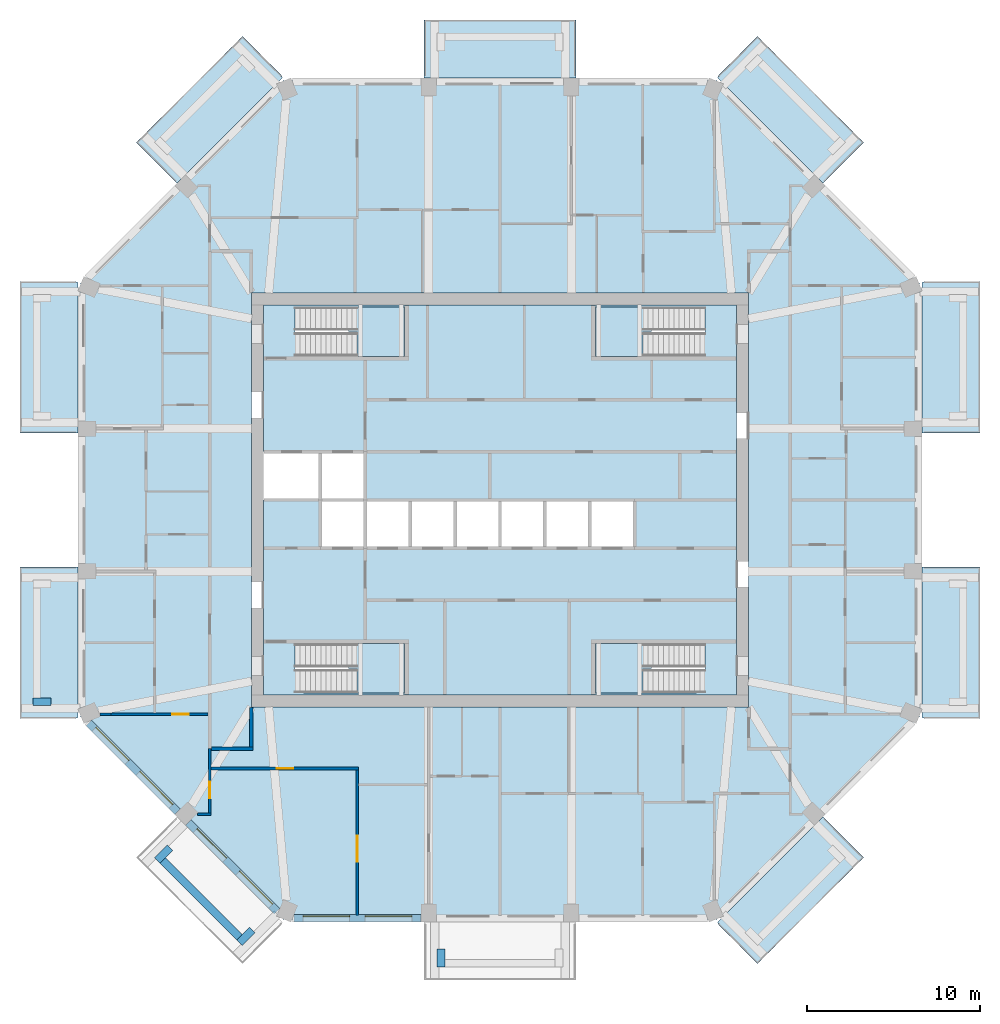
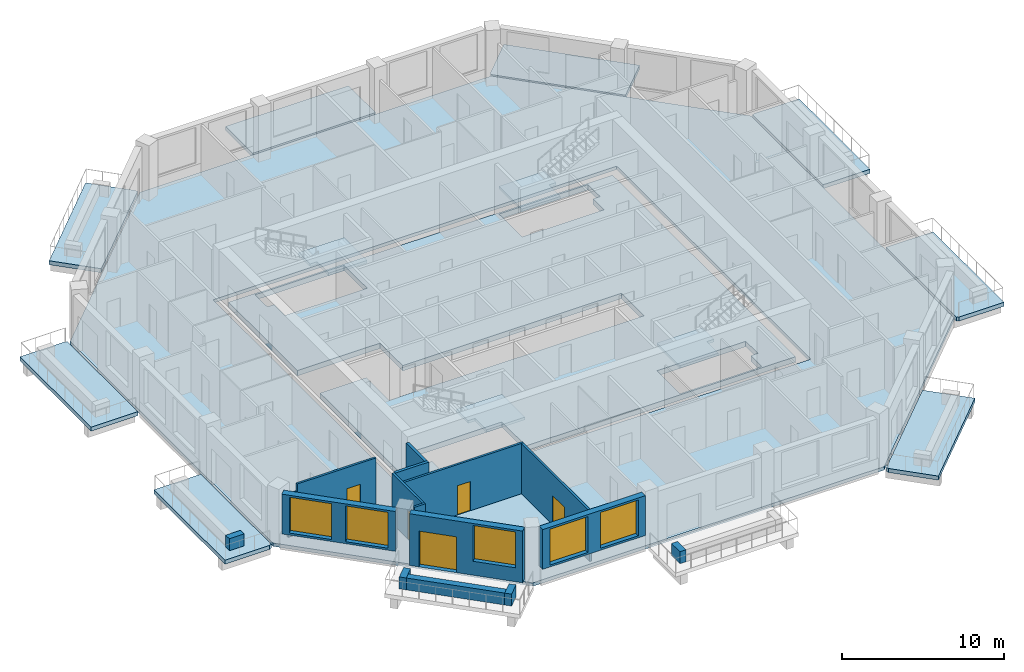
# One storey, part 2 of 12: 16 walls, 14 slabs, 5 doors, 5 windows, 10 openings, 4 elements without a shape of their own.
"""IFC4 building model written with IfcOpenShell, lengths in metres."""

from ifc_helpers import new_model, si_unit, direction, frame, frame_2d, origin, place, context, subcontext, project, spatial, polyline, rectangle, outline, extrude, material, layer, layer_set, type_object, element, fill, aggregate, save


model = new_model("IFC4")

# Units and contexts
model_context = context("Model", 3, precision=1e-05, world=origin(), true_north=direction((0.0, 1.0)))
body_context = subcontext(model_context, "Body", "Model", "MODEL_VIEW")
ifc_project = project(units=[si_unit("LENGTHUNIT", "METRE"), si_unit("AREAUNIT", "SQUARE_METRE"), si_unit("VOLUMEUNIT", "CUBIC_METRE"), si_unit("PLANEANGLEUNIT", "RADIAN"), si_unit("MASSUNIT", "GRAM", prefix="KILO")], contexts=[model_context])

# Site, building, storey
site_placement = place(None, origin())
site = spatial("IfcSite", under=ifc_project, at=site_placement, CompositionType="ELEMENT")
building_placement = place(site_placement, origin())
building = spatial("IfcBuilding", under=site, at=building_placement, Name="Msitu Wima Residences", CompositionType="ELEMENT")
storey_placement = place(building_placement, frame((0.0, 0.0, 204.300048828125)))
storey = spatial("IfcBuildingStorey", under=building, at=storey_placement, Name="L47", CompositionType="ELEMENT", Elevation=204.300048828125)

# Slabs
ifc_material_1 = material(Name="Concrete C40/50", Category="concrete")
ifc_layer_1 = layer(ifc_material_1, 0.300048828125)
ifc_layer_set_1 = layer_set([ifc_layer_1], Name="Concrete C40/50")
slab_type_1 = type_object("IfcSlabType", Name="Balcony slab BS300", PredefinedType="FLOOR", material=ifc_layer_set_1)
slab_1_placement = place(storey_placement, frame((0.0, 0.0, -0.300048828125)))
element("IfcSlab", 1, at=slab_1_placement, inside=storey, type_object=slab_type_1, Name="Balcony E0 L47", PredefinedType="FLOOR", context=body_context, shape_type="SweptSolid", body=[
    extrude(outline(polyline([(24.449951171875, -12.111083984375), (24.449951171875, -12.111083984375), (24.449951171875, -4.587158203125), (24.449951171875, -4.587158203125), (24.449951171875, -3.88720703125), (27.800048828125, -3.88720703125), (27.800048828125, -12.661865234375), (24.603515625, -12.661865234375), (24.449951171875, -12.59814453125), (24.449951171875, -12.111083984375), (24.449951171875, -12.111083984375)])), origin(), (0.0, 0.0, 1.0), 0.300048828125),
])
slab_2_placement = place(storey_placement, frame((0.0, 0.0, -0.300048828125)))
element("IfcSlab", 2, at=slab_2_placement, inside=storey, type_object=slab_type_1, Name="Balcony E2 L47", PredefinedType="FLOOR", context=body_context, shape_type="SweptSolid", body=[
    extrude(outline(polyline([(24.449951171875, 12.111083984375), (24.449951171875, 12.111083984375), (24.449951171875, 12.111083984375), (24.449951171875, 12.59814453125), (24.603515625, 12.661865234375), (27.800048828125, 12.661865234375), (27.800048828125, 3.88720703125), (24.449951171875, 3.88720703125), (24.449951171875, 4.587158203125), (24.449951171875, 12.111083984375)])), origin(), (0.0, 0.0, 1.0), 0.300048828125),
])
slab_3_placement = place(storey_placement, frame((0.0, 0.0, -0.300048828125)))
element("IfcSlab", 3, at=slab_3_placement, inside=storey, type_object=slab_type_1, Name="Balcony NE1 L47", PredefinedType="FLOOR", context=body_context, shape_type="SweptSolid", body=[
    extrude(outline(polyline([(12.942626953125, 24.10546875), (12.942626953125, 24.10546875), (12.59814453125, 24.449951171875), (12.661865234375, 24.603515625), (14.922119140625, 26.86376953125), (21.069580078125, 20.716064453125), (18.700927734375, 18.347412109375), (12.942626953125, 24.10546875), (12.942626953125, 24.10546875)])), origin(), (0.0, 0.0, 1.0), 0.300048828125),
])
slab_4_placement = place(storey_placement, frame((0.0, 0.0, -0.300048828125)))
element("IfcSlab", 4, at=slab_4_placement, inside=storey, type_object=slab_type_1, Name="Balcony N1 L47", PredefinedType="FLOOR", context=body_context, shape_type="SweptSolid", body=[
    extrude(outline(polyline([(3.687255859375, 24.449951171875), (-3.687255859375, 24.449951171875), (-4.38720703125, 24.449951171875), (-4.38720703125, 27.800048828125), (4.38720703125, 27.800048828125), (4.38720703125, 24.449951171875), (3.687255859375, 24.449951171875)])), origin(), (0.0, 0.0, 1.0), 0.300048828125),
])
slab_5_placement = place(storey_placement, frame((0.0, 0.0, -0.300048828125)))
element("IfcSlab", 5, at=slab_5_placement, inside=storey, type_object=slab_type_1, Name="Balcony NW0 L47", PredefinedType="FLOOR", context=body_context, shape_type="SweptSolid", body=[
    extrude(outline(polyline([(-12.942626953125, 24.10546875), (-12.942626953125, 24.10546875), (-18.700927734375, 18.347412109375), (-21.069580078125, 20.716064453125), (-14.922119140625, 26.86376953125), (-12.661865234375, 24.603515625), (-12.59814453125, 24.449951171875), (-12.942626953125, 24.10546875), (-12.942626953125, 24.10546875)])), origin(), (0.0, 0.0, 1.0), 0.300048828125),
])
slab_6_placement = place(storey_placement, frame((0.0, 0.0, -0.300048828125)))
element("IfcSlab", 6, at=slab_6_placement, inside=storey, type_object=slab_type_1, Name="Balcony W0 L47", PredefinedType="FLOOR", context=body_context, shape_type="SweptSolid", body=[
    extrude(outline(polyline([(-24.449951171875, 12.111083984375), (-24.449951171875, 12.111083984375), (-24.449951171875, 4.587158203125), (-24.449951171875, 3.88720703125), (-27.800048828125, 3.88720703125), (-27.800048828125, 12.661865234375), (-24.603515625, 12.661865234375), (-24.449951171875, 12.59814453125), (-24.449951171875, 12.111083984375), (-24.449951171875, 12.111083984375)])), origin(), (0.0, 0.0, 1.0), 0.300048828125),
])
slab_7_placement = place(storey_placement, frame((0.0, 0.0, -0.300048828125)))
element("IfcSlab", 7, at=slab_7_placement, inside=storey, type_object=slab_type_1, Name="Balcony W2 L47", PredefinedType="FLOOR", context=body_context, shape_type="SweptSolid", body=[
    extrude(outline(polyline([(-24.449951171875, -12.111083984375), (-24.449951171875, -12.111083984375), (-24.449951171875, -12.59814453125), (-24.603515625, -12.661865234375), (-27.800048828125, -12.661865234375), (-27.800048828125, -3.88720703125), (-24.449951171875, -3.88720703125), (-24.449951171875, -4.587158203125), (-24.449951171875, -4.587158203125), (-24.449951171875, -12.111083984375), (-24.449951171875, -12.111083984375)])), origin(), (0.0, 0.0, 1.0), 0.300048828125),
])
slab_8_placement = place(storey_placement, frame((0.0, 0.0, -0.300048828125)))
element("IfcSlab", 8, at=slab_8_placement, inside=storey, type_object=slab_type_1, Name="Balcony SE0 L47", PredefinedType="FLOOR", context=body_context, shape_type="SweptSolid", body=[
    extrude(outline(polyline([(12.942626953125, -24.10546875), (12.942626953125, -24.10546875), (18.700927734375, -18.347412109375), (21.069580078125, -20.716064453125), (14.922119140625, -26.86376953125), (12.661865234375, -24.603515625), (12.59814453125, -24.449951171875), (12.942626953125, -24.10546875), (12.942626953125, -24.10546875)])), origin(), (0.0, 0.0, 1.0), 0.300048828125),
])
ifc_layer_2 = layer(ifc_material_1, 0.402099609375)
ifc_layer_set_2 = layer_set([ifc_layer_2], Name="Concrete C40/50")
slab_type_2 = type_object("IfcSlabType", Name="Core floor CF402", PredefinedType="FLOOR", material=ifc_layer_set_2)
slab_9_placement = place(storey_placement, frame((0.0, 0.0, -0.402099609375)))
element("IfcSlab", 9, at=slab_9_placement, inside=storey, type_object=slab_type_2, Name="Core floor", PredefinedType="FLOOR", context=body_context, shape_type="SweptSolid", body=[
    extrude(outline(polyline([(-13.699951171875, 11.300048828125), (-13.699951171875, 2.800048828125), (-10.39990234375, 2.800048828125), (-7.800048828125, 2.800048828125), (-7.800048828125, 0.0), (-5.199951171875, 0.0), (-2.60009765625, 0.0), (0.0, 0.0), (2.60009765625, 0.0), (5.199951171875, 0.0), (7.800048828125, 0.0), (7.800048828125, -2.800048828125), (5.199951171875, -2.800048828125), (2.60009765625, -2.800048828125), (0.0, -2.800048828125), (-2.60009765625, -2.800048828125), (-5.199951171875, -2.800048828125), (-7.800048828125, -2.800048828125), (-10.39990234375, -2.800048828125), (-10.39990234375, 0.0), (-13.699951171875, 0.0), (-13.699951171875, -11.300048828125), (13.699951171875, -11.300048828125), (13.699951171875, 11.300048828125), (-13.699951171875, 11.300048828125)]), holes=[polyline([(-11.375, -11.175048828125), (-11.375, -9.824951171875), (-11.87451171875, -9.824951171875), (-11.87451171875, -8.324951171875), (-5.52490234375, -8.324951171875), (-5.52490234375, -11.175048828125), (-11.375, -11.175048828125)]), polyline([(-11.375, 8.324951171875), (-11.375, 9.675048828125), (-11.87451171875, 9.675048828125), (-11.87451171875, 11.175048828125), (-5.52490234375, 11.175048828125), (-5.52490234375, 8.324951171875), (-11.375, 8.324951171875)]), polyline([(11.375, -9.824951171875), (11.375, -11.175048828125), (5.52490234375, -11.175048828125), (5.52490234375, -8.324951171875), (11.87451171875, -8.324951171875), (11.87451171875, -9.824951171875), (11.375, -9.824951171875)]), polyline([(11.375, 9.675048828125), (11.375, 8.324951171875), (5.52490234375, 8.324951171875), (5.52490234375, 11.175048828125), (11.87451171875, 11.175048828125), (11.87451171875, 9.675048828125), (11.375, 9.675048828125)])]), origin(), (0.0, 0.0, 1.0), 0.402099609375),
])
ifc_layer_3 = layer(ifc_material_1, 0.25)
ifc_layer_set_3 = layer_set([ifc_layer_3], Name="Concrete C40/50")
slab_type_3 = type_object("IfcSlabType", Name="PT flat slab 250 Concrete C40/50", PredefinedType="FLOOR", material=ifc_layer_set_3)
slab_10_placement = place(storey_placement, frame((0.0, 0.0, -0.25)))
element("IfcSlab", 10, at=slab_10_placement, inside=storey, type_object=slab_type_3, Name="Floor slab L47", PredefinedType="FLOOR", context=body_context, shape_type="SweptSolid", body=[
    extrude(outline(polyline([(24.300048828125, -12.5361328125), (12.5361328125, -24.300048828125), (-12.5361328125, -24.300048828125), (-24.300048828125, -12.5361328125), (-24.300048828125, 12.5361328125), (-12.5361328125, 24.300048828125), (12.5361328125, 24.300048828125), (24.300048828125, 12.5361328125), (24.300048828125, -12.5361328125)]), holes=[polyline([(-14.39990234375, -12.0), (14.39990234375, -12.0), (14.39990234375, 12.0), (-14.39990234375, 12.0), (-14.39990234375, -12.0)])]), origin(), (0.0, 0.0, 1.0), 0.25),
])

# Stair, slab
stair_type = type_object("IfcStairType", Name="Exit stair ES1615-135", PredefinedType="HALF_TURN_STAIR", material=ifc_material_1)
stair_1_placement = place(storey_placement, origin())
stair_1 = element("IfcStair", 11, at=stair_1_placement, inside=storey, type_object=stair_type, Name="Exit stair 1", PredefinedType="HALF_TURN_STAIR")
ifc_layer_4 = layer(ifc_material_1, 0.199951171875)
ifc_layer_set_4 = layer_set([ifc_layer_4], Name="Concrete C40/50")
slab_type_4 = type_object("IfcSlabType", Name="Stair landing SL200", PredefinedType="LANDING", material=ifc_layer_set_4)
slab_11_placement = place(storey_placement, frame((0.0, 0.0, 1.89990234375)))
slab_11 = element("IfcSlab", 12, at=slab_11_placement, type_object=slab_type_4, Name="S1 landing 1", PredefinedType="LANDING", context=body_context, shape_type="SweptSolid", body=[
    extrude(outline(polyline([(-5.52490234375, 8.324951171875), (-8.275390625, 8.324951171875), (-8.275390625, 9.75), (-8.77490234375, 9.75), (-8.77490234375, 11.175048828125), (-5.52490234375, 11.175048828125), (-5.52490234375, 8.324951171875)])), origin(), (0.0, 0.0, 1.0), 0.199951171875),
])
aggregate(stair_1, [slab_11])

stair_2_placement = place(storey_placement, origin())
stair_2 = element("IfcStair", 13, at=stair_2_placement, inside=storey, type_object=stair_type, Name="Exit stair 2", PredefinedType="HALF_TURN_STAIR")
slab_12_placement = place(storey_placement, frame((0.0, 0.0, 1.89990234375)))
slab_12 = element("IfcSlab", 14, at=slab_12_placement, type_object=slab_type_4, Name="S2 landing 1", PredefinedType="LANDING", context=body_context, shape_type="SweptSolid", body=[
    extrude(outline(polyline([(-5.52490234375, -11.175048828125), (-8.275390625, -11.175048828125), (-8.275390625, -9.75), (-8.77490234375, -9.75), (-8.77490234375, -8.324951171875), (-5.52490234375, -8.324951171875), (-5.52490234375, -11.175048828125)])), origin(), (0.0, 0.0, 1.0), 0.199951171875),
])
aggregate(stair_2, [slab_12])

stair_3_placement = place(storey_placement, origin())
stair_3 = element("IfcStair", 15, at=stair_3_placement, inside=storey, type_object=stair_type, Name="Exit stair 3", PredefinedType="HALF_TURN_STAIR")
slab_13_placement = place(storey_placement, frame((0.0, 0.0, 1.89990234375)))
slab_13 = element("IfcSlab", 16, at=slab_13_placement, type_object=slab_type_4, Name="S3 landing 1", PredefinedType="LANDING", context=body_context, shape_type="SweptSolid", body=[
    extrude(outline(polyline([(5.52490234375, 8.324951171875), (8.275390625, 8.324951171875), (8.275390625, 9.75), (8.77490234375, 9.75), (8.77490234375, 11.175048828125), (5.52490234375, 11.175048828125), (5.52490234375, 8.324951171875)])), origin(), (0.0, 0.0, 1.0), 0.199951171875),
])
aggregate(stair_3, [slab_13])

stair_4_placement = place(storey_placement, origin())
stair_4 = element("IfcStair", 17, at=stair_4_placement, inside=storey, type_object=stair_type, Name="Exit stair 4", PredefinedType="HALF_TURN_STAIR")
slab_14_placement = place(storey_placement, frame((0.0, 0.0, 1.89990234375)))
slab_14 = element("IfcSlab", 18, at=slab_14_placement, type_object=slab_type_4, Name="S4 landing 1", PredefinedType="LANDING", context=body_context, shape_type="SweptSolid", body=[
    extrude(outline(polyline([(5.52490234375, -11.175048828125), (8.275390625, -11.175048828125), (8.275390625, -9.75), (8.77490234375, -9.75), (8.77490234375, -8.324951171875), (5.52490234375, -8.324951171875), (5.52490234375, -11.175048828125)])), origin(), (0.0, 0.0, 1.0), 0.199951171875),
])
aggregate(stair_4, [slab_14])

# Walls
ifc_material_2 = material(Name="Facing brick")
ifc_layer_5 = layer(ifc_material_2, 0.06494140625, Name="Facing brick")
ifc_layer_6 = layer(ifc_material_1, 0.156005859375, Name="Concrete C40/50")
ifc_material_3 = material(Name="Waterproofing membrane")
ifc_layer_7 = layer(ifc_material_3, 0.00390625, Name="Waterproofing membrane")
ifc_material_4 = material(Name="Planting soil and planting")
ifc_layer_8 = layer(ifc_material_4, 0.22509765625, Name="Planting soil and planting")
ifc_layer_set_5 = layer_set([ifc_layer_5, ifc_layer_6, ifc_layer_7, ifc_layer_8], Name="Concrete C40/50")
wall_type_1 = type_object("IfcWallType", Name="Balcony planter PLANTER PL450", PredefinedType="USERDEFINED", material=ifc_layer_set_5)
wall_1_placement = place(storey_placement, frame((-26.0, -11.686767578125, 0.0), z_axis=(0.0, 0.0, 1.0), x_axis=(-1.0, 0.0, 0.0)))
element("IfcWall", 19, at=wall_1_placement, inside=storey, type_object=wall_type_1, Name="Balcony planter W2 L47", ObjectType="PLANTER", PredefinedType="USERDEFINED", context=body_context, shape_type="SweptSolid", body=[
    extrude(rectangle(XDim=1.050048828125, YDim=0.449951171875, at=frame_2d((0.52490234375, 0.0))), origin(), (0.0, 0.0, 1.0), 0.89990234375),
])
wall_2_placement = place(storey_placement, frame((-19.53173828125, -20.875244140625, 0.0), z_axis=(0.0, 0.0, 1.0), x_axis=(0.707106781187, -0.707106781187, 0.0)))
element("IfcWall", 20, at=wall_2_placement, inside=storey, type_object=wall_type_1, Name="Balcony planter SW1 L47", ObjectType="PLANTER", PredefinedType="USERDEFINED", context=body_context, shape_type="SweptSolid", body=[
    extrude(rectangle(XDim=6.294189453125, YDim=0.449951171875, at=frame_2d((3.14697265625, 0.0))), origin(), (0.0, 0.0, 1.0), 0.89990234375),
])
for number, where, z_axis, x_axis, name in (
    (21, (-19.107421875, -20.1328125, 0.0), (0.0, 0.0, 1.0), (-0.707106781187, -0.707106781187, 0.0), "Balcony planter SW1 L47"),
    (22, (-14.338623046875, -24.901611328125, 0.0), (0.0, 0.0, 1.0), (-0.707106781187, -0.707106781187, 0.0), "Balcony planter SW1 L47"),
    (23, (-3.412353515625, -26.0, 0.0), (0.0, 0.0, 1.0), (0.0, -1.0, 0.0), "Balcony planter S1 L47"),
):
    element("IfcWall", number, at=place(storey_placement, frame(where, z_axis=z_axis, x_axis=x_axis)), inside=storey, type_object=wall_type_1, Name=name, ObjectType="PLANTER", PredefinedType="USERDEFINED", context=body_context, shape_type="SweptSolid", body=[
        extrude(rectangle(XDim=1.050048828125, YDim=0.449951171875, at=frame_2d((0.52490234375, 0.0))), origin(), (0.0, 0.0, 1.0), 0.89990234375),
    ])

# Wall, openings, windows
ifc_material_5 = material(Name="Brick (red buff mix)", Category="masonry")
ifc_layer_9 = layer(ifc_material_5, 0.449951171875)
ifc_layer_set_6 = layer_set([ifc_layer_9], Name="Brick (red buff mix)")
wall_type_2 = type_object("IfcWallType", Name="Brick infill wall BW450", PredefinedType="SOLIDWALL", material=ifc_layer_set_6)
wall_3_placement = place(storey_placement, frame((-23.814697265625, -12.915283203125, 0.89990234375), z_axis=(0.0, 0.0, 1.0), x_axis=(0.707106781187, -0.707106781187, 0.0)))
wall_3 = element("IfcWall", 24, at=wall_3_placement, inside=storey, type_object=wall_type_2, Name="Brick infill wall L47 SW0", PredefinedType="SOLIDWALL", context=body_context, shape_type="SweptSolid", body=[
    extrude(rectangle(XDim=7.257080078125, YDim=0.449951171875, at=frame_2d((3.62841796875, 0.0))), origin(), (0.0, 0.0, 1.0), 3.0),
])
opening_1_placement = place(wall_3_placement, frame((0.478515625, 0.0, 0.14990234375)))
opening_1 = element("IfcOpeningElement", 25, at=opening_1_placement, cuts=wall_3, Name="Opening W47.024", PredefinedType="OPENING", context=body_context, shape_type="SweptSolid", body=[
    extrude(rectangle(XDim=2.699951171875, YDim=2.699951171875, at=frame_2d((1.35009765625, 1.35009765625))), frame((0.0, 0.23486328125, 0.0), z_axis=(0.0, -1.0, 0.0), x_axis=(1.0, 0.0, 0.0)), (0.0, 0.0, 1.0), 0.469970703125),
])
opening_2_placement = place(wall_3_placement, frame((4.07861328125, 0.0, 0.14990234375)))
opening_2 = element("IfcOpeningElement", 26, at=opening_2_placement, cuts=wall_3, Name="Opening W47.025", PredefinedType="OPENING", context=body_context, shape_type="SweptSolid", body=[
    extrude(rectangle(XDim=2.699951171875, YDim=2.699951171875, at=frame_2d((1.35009765625, 1.35009765625))), frame((0.0, 0.23486328125, 0.0), z_axis=(0.0, -1.0, 0.0), x_axis=(1.0, 0.0, 0.0)), (0.0, 0.0, 1.0), 0.469970703125),
])
ifc_material_6 = material(Name="Anodised aluminium, bronze finish, clear low-emissivity double glazing", Category="aluminium")
window_type = type_object("IfcWindowType", Name="Window W2700x2700", PartitioningType="DOUBLE_PANEL_VERTICAL", PredefinedType="WINDOW", material=ifc_material_6)
window_1_placement = place(opening_1_placement, origin())
window_1 = element("IfcWindow", 27, at=window_1_placement, inside=storey, type_object=window_type, Name="Window L47 SW0.1", OverallHeight=2.699951171875, OverallWidth=2.699951171875, PartitioningType="SINGLE_PANEL", PredefinedType="WINDOW", context=body_context, shape_type="SweptSolid", body=[
    extrude(rectangle(XDim=2.699951171875, YDim=2.699951171875, at=frame_2d((1.35009765625, 1.35009765625))), frame((0.0, 0.135009765625, 0.0), z_axis=(0.0, -1.0, 0.0), x_axis=(1.0, 0.0, 0.0)), (0.0, 0.0, 1.0), 0.06005859375),
])
fill(opening_1, window_1)
window_2_placement = place(opening_2_placement, origin())
window_2 = element("IfcWindow", 28, at=window_2_placement, inside=storey, type_object=window_type, Name="Window L47 SW0.2", OverallHeight=2.699951171875, OverallWidth=2.699951171875, PartitioningType="SINGLE_PANEL", PredefinedType="WINDOW", context=body_context, shape_type="SweptSolid", body=[
    extrude(rectangle(XDim=2.699951171875, YDim=2.699951171875, at=frame_2d((1.35009765625, 1.35009765625))), frame((0.0, 0.135009765625, 0.0), z_axis=(0.0, -1.0, 0.0), x_axis=(1.0, 0.0, 0.0)), (0.0, 0.0, 1.0), 0.06005859375),
])
fill(opening_2, window_2)

# Wall, openings, door, window
wall_4_placement = place(storey_placement, frame((-18.046875, -18.68310546875, 0.0), z_axis=(0.0, 0.0, 1.0), x_axis=(0.707106781187, -0.707106781187, 0.0)))
wall_4 = element("IfcWall", 29, at=wall_4_placement, inside=storey, type_object=wall_type_2, Name="Brick infill wall L47 SW1", PredefinedType="SOLIDWALL", context=body_context, shape_type="SweptSolid", body=[
    extrude(rectangle(XDim=7.257080078125, YDim=0.449951171875, at=frame_2d((3.62841796875, 0.0))), origin(), (0.0, 0.0, 1.0), 3.89990234375),
])
opening_3_placement = place(wall_4_placement, frame((0.6142578125, 0.0, 0.0)))
opening_3 = element("IfcOpeningElement", 30, at=opening_3_placement, cuts=wall_4, Name="Opening D47.008", PredefinedType="OPENING", context=body_context, shape_type="SweptSolid", body=[
    extrude(rectangle(XDim=2.39990234375, YDim=2.699951171875, at=frame_2d((1.199951171875, 1.35009765625))), frame((0.0, 0.23486328125, 0.0), z_axis=(0.0, -1.0, 0.0), x_axis=(1.0, 0.0, 0.0)), (0.0, 0.0, 1.0), 0.469970703125),
])
opening_4_placement = place(wall_4_placement, frame((4.07861328125, 0.0, 1.050048828125)))
opening_4 = element("IfcOpeningElement", 31, at=opening_4_placement, cuts=wall_4, Name="Opening W47.026", PredefinedType="OPENING", context=body_context, shape_type="SweptSolid", body=[
    extrude(rectangle(XDim=2.699951171875, YDim=2.699951171875, at=frame_2d((1.35009765625, 1.35009765625))), frame((0.0, 0.23486328125, 0.0), z_axis=(0.0, -1.0, 0.0), x_axis=(1.0, 0.0, 0.0)), (0.0, 0.0, 1.0), 0.469970703125),
])
door_type_1 = type_object("IfcDoorType", Name="Balcony door D2400x2700", OperationType="SLIDING_TO_LEFT", PredefinedType="DOOR", material=ifc_material_6)
door_1_placement = place(opening_3_placement, origin())
door_1 = element("IfcDoor", 32, at=door_1_placement, inside=storey, type_object=door_type_1, Name="Balcony door L47 SW1", OperationType="SINGLE_SWING_LEFT", OverallHeight=2.699951171875, OverallWidth=2.39990234375, PredefinedType="DOOR", context=body_context, shape_type="SweptSolid", body=[
    extrude(rectangle(XDim=2.39990234375, YDim=2.699951171875, at=frame_2d((1.199951171875, 1.35009765625))), frame((0.0, 0.1298828125, 0.0), z_axis=(0.0, -1.0, 0.0), x_axis=(1.0, 0.0, 0.0)), (0.0, 0.0, 1.0), 0.050048828125),
])
fill(opening_3, door_1)
window_3_placement = place(opening_4_placement, origin())
window_3 = element("IfcWindow", 33, at=window_3_placement, inside=storey, type_object=window_type, Name="Window L47 SW1.2", OverallHeight=2.699951171875, OverallWidth=2.699951171875, PartitioningType="SINGLE_PANEL", PredefinedType="WINDOW", context=body_context, shape_type="SweptSolid", body=[
    extrude(rectangle(XDim=2.699951171875, YDim=2.699951171875, at=frame_2d((1.35009765625, 1.35009765625))), frame((0.0, 0.135009765625, 0.0), z_axis=(0.0, -1.0, 0.0), x_axis=(1.0, 0.0, 0.0)), (0.0, 0.0, 1.0), 0.06005859375),
])
fill(opening_4, window_3)

# Wall, openings, windows
wall_5_placement = place(storey_placement, frame((-11.9248046875, -24.22509765625, 0.89990234375), z_axis=(0.0, 0.0, 1.0), x_axis=(1.0, 0.0, 0.0)))
wall_5 = element("IfcWall", 34, at=wall_5_placement, inside=storey, type_object=wall_type_2, Name="Brick infill wall L47 S0", PredefinedType="SOLIDWALL", context=body_context, shape_type="SweptSolid", body=[
    extrude(rectangle(XDim=7.337646484375, YDim=0.449951171875, at=frame_2d((3.6689453125, 0.0))), origin(), (0.0, 0.0, 1.0), 3.0),
])
opening_5_placement = place(wall_5_placement, frame((0.518798828125, 0.0, 0.14990234375)))
opening_5 = element("IfcOpeningElement", 35, at=opening_5_placement, cuts=wall_5, Name="Opening W47.016", PredefinedType="OPENING", context=body_context, shape_type="SweptSolid", body=[
    extrude(rectangle(XDim=2.699951171875, YDim=2.699951171875, at=frame_2d((1.35009765625, 1.35009765625))), frame((0.0, 0.23486328125, 0.0), z_axis=(0.0, -1.0, 0.0), x_axis=(1.0, 0.0, 0.0)), (0.0, 0.0, 1.0), 0.469970703125),
])
opening_6_placement = place(wall_5_placement, frame((4.11865234375, 0.0, 0.14990234375)))
opening_6 = element("IfcOpeningElement", 36, at=opening_6_placement, cuts=wall_5, Name="Opening W47.017", PredefinedType="OPENING", context=body_context, shape_type="SweptSolid", body=[
    extrude(rectangle(XDim=2.699951171875, YDim=2.699951171875, at=frame_2d((1.35009765625, 1.35009765625))), frame((0.0, 0.23486328125, 0.0), z_axis=(0.0, -1.0, 0.0), x_axis=(1.0, 0.0, 0.0)), (0.0, 0.0, 1.0), 0.469970703125),
])
window_4_placement = place(opening_5_placement, origin())
window_4 = element("IfcWindow", 37, at=window_4_placement, inside=storey, type_object=window_type, Name="Window L47 S0.1", OverallHeight=2.699951171875, OverallWidth=2.699951171875, PartitioningType="SINGLE_PANEL", PredefinedType="WINDOW", context=body_context, shape_type="SweptSolid", body=[
    extrude(rectangle(XDim=2.699951171875, YDim=2.699951171875, at=frame_2d((1.35009765625, 1.35009765625))), frame((0.0, 0.135009765625, 0.0), z_axis=(0.0, -1.0, 0.0), x_axis=(1.0, 0.0, 0.0)), (0.0, 0.0, 1.0), 0.06005859375),
])
fill(opening_5, window_4)
window_5_placement = place(opening_6_placement, origin())
window_5 = element("IfcWindow", 38, at=window_5_placement, inside=storey, type_object=window_type, Name="Window L47 S0.2", OverallHeight=2.699951171875, OverallWidth=2.699951171875, PartitioningType="SINGLE_PANEL", PredefinedType="WINDOW", context=body_context, shape_type="SweptSolid", body=[
    extrude(rectangle(XDim=2.699951171875, YDim=2.699951171875, at=frame_2d((1.35009765625, 1.35009765625))), frame((0.0, 0.135009765625, 0.0), z_axis=(0.0, -1.0, 0.0), x_axis=(1.0, 0.0, 0.0)), (0.0, 0.0, 1.0), 0.06005859375),
])
fill(opening_6, window_5)

# Walls
ifc_material_7 = material(Name="Plaster")
ifc_layer_10 = layer(ifc_material_7, 0.011962890625, Name="Plaster")
ifc_material_8 = material(Name="Concrete blockwork", Category="masonry")
ifc_layer_11 = layer(ifc_material_8, 0.176025390625, Name="Concrete blockwork")
ifc_layer_12 = layer(ifc_material_7, 0.011962890625, Name="Plaster")
ifc_layer_set_7 = layer_set([ifc_layer_10, ifc_layer_11, ifc_layer_12], Name="Concrete blockwork")
wall_type_3 = type_object("IfcWallType", Name="Corridor wall FW200", PredefinedType="PARTITIONING", material=ifc_layer_set_7)
wall_6_placement = place(storey_placement, frame((-16.699951171875, -14.39990234375, 0.0), z_axis=(0.0, 0.0, 1.0), x_axis=(1.0, 0.0, 0.0)))
element("IfcWall", 39, at=wall_6_placement, inside=storey, type_object=wall_type_3, Name="Corridor wall", PredefinedType="PARTITIONING", context=body_context, shape_type="SweptSolid", body=[
    extrude(rectangle(XDim=2.39990234375, YDim=0.199951171875, at=frame_2d((1.199951171875, 0.0))), origin(), (0.0, 0.0, 1.0), 3.7978515625),
])
wall_7_placement = place(storey_placement, frame((-14.39990234375, -14.300048828125, 0.0), z_axis=(0.0, 0.0, 1.0), x_axis=(0.0, 1.0, 0.0)))
element("IfcWall", 40, at=wall_7_placement, inside=storey, type_object=wall_type_3, Name="Corridor wall", PredefinedType="PARTITIONING", context=body_context, shape_type="SweptSolid", body=[
    extrude(rectangle(XDim=2.27001953125, YDim=0.199951171875, at=frame_2d((1.135009765625, 0.0))), origin(), (0.0, 0.0, 1.0), 3.7978515625),
])
ifc_layer_13 = layer(ifc_material_7, 0.011962890625, Name="Plaster")
ifc_layer_14 = layer(ifc_material_8, 0.1259765625, Name="Concrete blockwork")
ifc_layer_15 = layer(ifc_material_7, 0.011962890625, Name="Plaster")
ifc_layer_set_8 = layer_set([ifc_layer_13, ifc_layer_14, ifc_layer_15], Name="Concrete blockwork")
wall_type_4 = type_object("IfcWallType", Name="Partition PW150", PredefinedType="PARTITIONING", material=ifc_layer_set_8)
wall_8_placement = place(storey_placement, frame((-23.169677734375, -12.409912109375, 0.0), z_axis=(0.0, 0.0, 1.0), x_axis=(1.0, 0.0, 0.0)))
element("IfcWall", 41, at=wall_8_placement, inside=storey, type_object=wall_type_4, Name="Partition", PredefinedType="PARTITIONING", context=body_context, shape_type="SweptSolid", body=[
    extrude(rectangle(XDim=0.640380859375, YDim=0.14990234375, at=frame_2d((0.3203125, 0.0))), origin(), (0.0, 0.0, 1.0), 3.199951171875),
])

# Wall, opening, door
wall_9_placement = place(storey_placement, frame((-22.529296875, -12.409912109375, 0.0), z_axis=(0.0, 0.0, 1.0), x_axis=(1.0, 0.0, 0.0)))
wall_9 = element("IfcWall", 42, at=wall_9_placement, inside=storey, type_object=wall_type_4, Name="Partition", PredefinedType="PARTITIONING", context=body_context, shape_type="SweptSolid", body=[
    extrude(rectangle(XDim=5.62939453125, YDim=0.14990234375, at=frame_2d((2.814697265625, 0.0))), origin(), (0.0, 0.0, 1.0), 3.7978515625),
])
opening_7_placement = place(wall_9_placement, frame((3.5595703125, 0.0, 0.0)))
opening_7 = element("IfcOpeningElement", 43, at=opening_7_placement, cuts=wall_9, Name="Opening D47.025", PredefinedType="OPENING", context=body_context, shape_type="SweptSolid", body=[
    extrude(rectangle(XDim=0.949951171875, YDim=2.199951171875, at=frame_2d((0.47509765625, 1.10009765625))), frame((0.0, 0.0849609375, 0.0), z_axis=(0.0, -1.0, 0.0), x_axis=(1.0, 0.0, 0.0)), (0.0, 0.0, 1.0), 0.169921875),
])
ifc_material_9 = material(Name="Timber flush door", Category="wood")
door_type_2 = type_object("IfcDoorType", Name="Room door D12 950x2200", OperationType="SINGLE_SWING_LEFT", PredefinedType="DOOR", material=ifc_material_9)
door_2_placement = place(opening_7_placement, origin())
door_2 = element("IfcDoor", 44, at=door_2_placement, inside=storey, type_object=door_type_2, Name="Room door", OperationType="SINGLE_SWING_LEFT", OverallHeight=2.199951171875, OverallWidth=0.949951171875, PredefinedType="DOOR", context=body_context, shape_type="SweptSolid", body=[
    extrude(rectangle(XDim=0.949951171875, YDim=2.199951171875, at=frame_2d((0.47509765625, 1.10009765625))), frame((0.0, 0.02490234375, 0.0), z_axis=(0.0, -1.0, 0.0), x_axis=(1.0, 0.0, 0.0)), (0.0, 0.0, 1.0), 0.050048828125),
])
fill(opening_7, door_2)

# Wall
wall_10_placement = place(storey_placement, frame((-17.509521484375, -18.205810546875, 0.0), z_axis=(0.0, 0.0, 1.0), x_axis=(1.0, 0.0, 0.0)))
element("IfcWall", 45, at=wall_10_placement, inside=storey, type_object=wall_type_4, Name="Partition", PredefinedType="PARTITIONING", context=body_context, shape_type="SweptSolid", body=[
    extrude(rectangle(XDim=0.784423828125, YDim=0.14990234375, at=frame_2d((0.39208984375, 0.0))), origin(), (0.0, 0.0, 1.0), 3.7978515625),
])

# Wall, opening, door
wall_11_placement = place(storey_placement, frame((-16.800048828125, -18.130859375, 0.0), z_axis=(0.0, 0.0, 1.0), x_axis=(0.0, 1.0, 0.0)))
wall_11 = element("IfcWall", 46, at=wall_11_placement, inside=storey, type_object=wall_type_4, Name="Partition", PredefinedType="PARTITIONING", context=body_context, shape_type="SweptSolid", body=[
    extrude(rectangle(XDim=3.73095703125, YDim=0.14990234375, at=frame_2d((1.865478515625, 0.0))), origin(), (0.0, 0.0, 1.0), 3.7978515625),
])
opening_8_placement = place(wall_11_placement, frame((0.85009765625, 0.0, 0.0)))
opening_8 = element("IfcOpeningElement", 47, at=opening_8_placement, cuts=wall_11, Name="Opening D47.044", PredefinedType="OPENING", context=body_context, shape_type="SweptSolid", body=[
    extrude(rectangle(XDim=0.949951171875, YDim=2.199951171875, at=frame_2d((0.47509765625, 1.10009765625))), frame((0.0, 0.0849609375, 0.0), z_axis=(0.0, -1.0, 0.0), x_axis=(1.0, 0.0, 0.0)), (0.0, 0.0, 1.0), 0.169921875),
])
door_3_placement = place(opening_8_placement, origin())
door_3 = element("IfcDoor", 48, at=door_3_placement, inside=storey, type_object=door_type_2, Name="Room door", OperationType="SINGLE_SWING_LEFT", OverallHeight=2.199951171875, OverallWidth=0.949951171875, PredefinedType="DOOR", context=body_context, shape_type="SweptSolid", body=[
    extrude(rectangle(XDim=0.949951171875, YDim=2.199951171875, at=frame_2d((0.47509765625, 1.10009765625))), frame((0.0, 0.02490234375, 0.0), z_axis=(0.0, -1.0, 0.0), x_axis=(1.0, 0.0, 0.0)), (0.0, 0.0, 1.0), 0.050048828125),
])
fill(opening_8, door_3)

wall_12_placement = place(storey_placement, frame((-16.72509765625, -15.550048828125, 0.0), z_axis=(0.0, 0.0, 1.0), x_axis=(1.0, 0.0, 0.0)))
wall_12 = element("IfcWall", 49, at=wall_12_placement, inside=storey, type_object=wall_type_4, Name="Partition", PredefinedType="PARTITIONING", context=body_context, shape_type="SweptSolid", body=[
    extrude(rectangle(XDim=8.525634765625, YDim=0.14990234375, at=frame_2d((4.2626953125, 0.0))), origin(), (0.0, 0.0, 1.0), 3.7978515625),
])
opening_9_placement = place(wall_12_placement, frame((3.800048828125, 0.0, 0.0)))
opening_9 = element("IfcOpeningElement", 50, at=opening_9_placement, cuts=wall_12, Name="Opening D47.030", PredefinedType="OPENING", context=body_context, shape_type="SweptSolid", body=[
    extrude(rectangle(XDim=0.949951171875, YDim=2.199951171875, at=frame_2d((0.47509765625, 1.10009765625))), frame((0.0, 0.0849609375, 0.0), z_axis=(0.0, -1.0, 0.0), x_axis=(1.0, 0.0, 0.0)), (0.0, 0.0, 1.0), 0.169921875),
])
door_4_placement = place(opening_9_placement, origin())
door_4 = element("IfcDoor", 51, at=door_4_placement, inside=storey, type_object=door_type_2, Name="Room door", OperationType="SINGLE_SWING_LEFT", OverallHeight=2.199951171875, OverallWidth=0.949951171875, PredefinedType="DOOR", context=body_context, shape_type="SweptSolid", body=[
    extrude(rectangle(XDim=0.949951171875, YDim=2.199951171875, at=frame_2d((0.47509765625, 1.10009765625))), frame((0.0, 0.02490234375, 0.0), z_axis=(0.0, -1.0, 0.0), x_axis=(1.0, 0.0, 0.0)), (0.0, 0.0, 1.0), 0.050048828125),
])
fill(opening_9, door_4)

wall_13_placement = place(storey_placement, frame((-8.2744140625, -24.054931640625, 0.0), z_axis=(0.0, 0.0, 1.0), x_axis=(0.0, 1.0, 0.0)))
wall_13 = element("IfcWall", 52, at=wall_13_placement, inside=storey, type_object=wall_type_4, Name="Partition", PredefinedType="PARTITIONING", context=body_context, shape_type="SweptSolid", body=[
    extrude(rectangle(XDim=8.429931640625, YDim=0.14990234375, at=frame_2d((4.21484375, 0.0))), origin(), (0.0, 0.0, 1.0), 3.7978515625),
])
opening_10_placement = place(wall_13_placement, frame((3.10009765625, 0.0, 0.0)))
opening_10 = element("IfcOpeningElement", 53, at=opening_10_placement, cuts=wall_13, Name="Opening D47.031", PredefinedType="OPENING", context=body_context, shape_type="SweptSolid", body=[
    extrude(rectangle(XDim=1.5, YDim=2.199951171875, at=frame_2d((0.75, 1.10009765625))), frame((0.0, 0.0849609375, 0.0), z_axis=(0.0, -1.0, 0.0), x_axis=(1.0, 0.0, 0.0)), (0.0, 0.0, 1.0), 0.169921875),
])
ifc_material_10 = material(Name="Timber double door", Category="wood")
door_type_3 = type_object("IfcDoorType", Name="Double door D04 1500x2200", OperationType="DOUBLE_DOOR_SINGLE_SWING", PredefinedType="DOOR", material=ifc_material_10)
door_5_placement = place(opening_10_placement, origin())
door_5 = element("IfcDoor", 54, at=door_5_placement, inside=storey, type_object=door_type_3, Name="Double door", OperationType="DOUBLE_DOOR_SINGLE_SWING", OverallHeight=2.199951171875, OverallWidth=1.5, PredefinedType="DOOR", context=body_context, shape_type="SweptSolid", body=[
    extrude(rectangle(XDim=1.5, YDim=2.199951171875, at=frame_2d((0.75, 1.10009765625))), frame((0.0, 0.02490234375, 0.0), z_axis=(0.0, -1.0, 0.0), x_axis=(1.0, 0.0, 0.0)), (0.0, 0.0, 1.0), 0.050048828125),
])
fill(opening_10, door_5)

save(model, "model.ifc")
